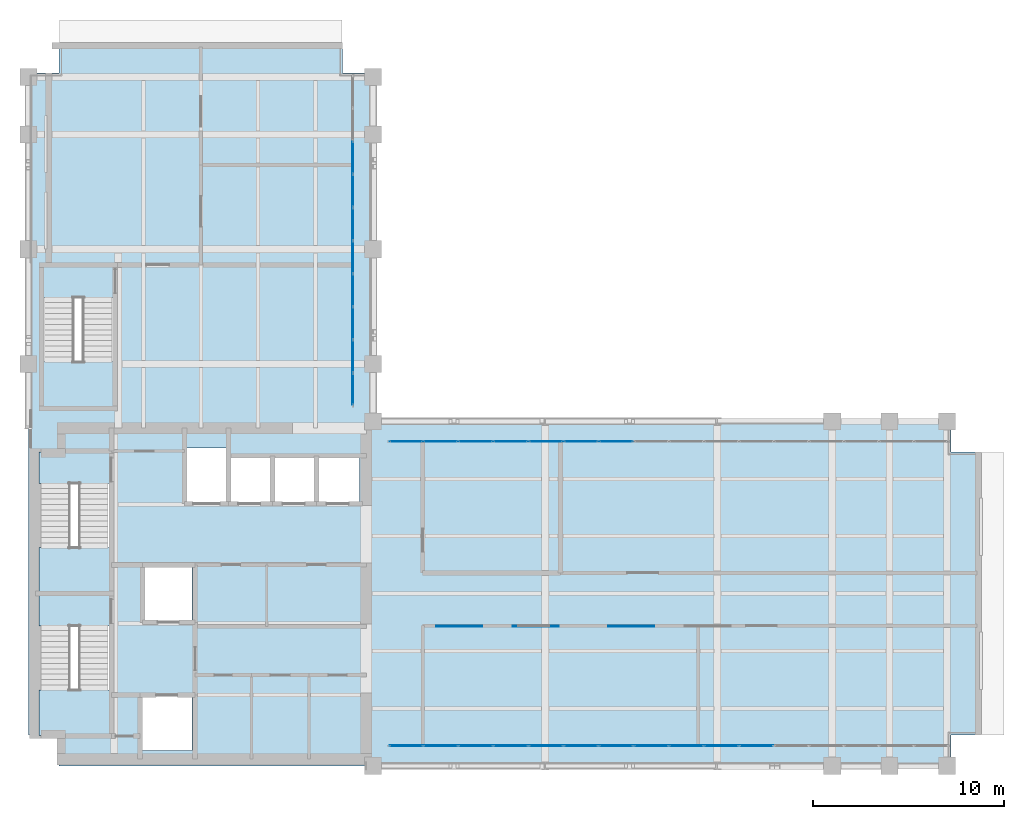
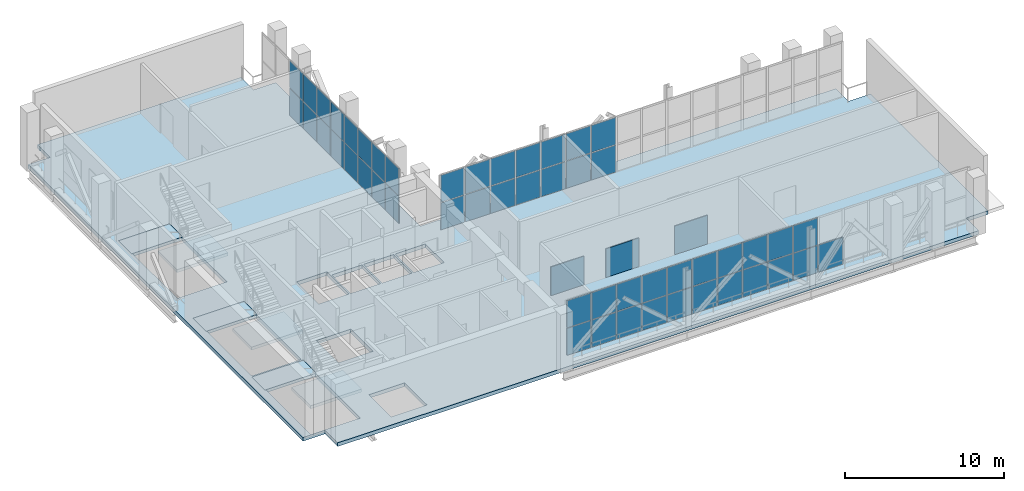
# One storey, part 21 of 26: 54 plates, 7 slabs, 6 elements without a shape of their own.
"""IFC4 building model written with IfcOpenShell, lengths in metres."""

import ifcopenshell
import ifcopenshell.guid

model = None  # the IFC model being written
_history = None  # IfcOwnerHistory: only IFC2X3 demands one
_inside = {}  # id of a spatial element -> (the spatial element, [elements in it])
_under = {}  # id of a project, library or spatial element -> (it, [spatial elements below it])
_declared = {}  # id of a project -> (the project, [libraries it declares])
_typed = {}  # id of a type object -> (the type object, [elements of that type])
_made_of = {}  # id of a material, layer set ... -> (it, [elements and type objects made of it])


def new_model(schema):
    """Start an empty IFC model of exactly this schema.

    Asked for "IFC4X3", IfcOpenShell would pick the latest addendum, in which some entities
    have other attributes; the version numbers below select the first issue.
    IFC2X3 requires an IfcOwnerHistory on every rooted entity: one is made here for all.
    """
    global model, _history
    if schema == "IFC4X3":
        model = ifcopenshell.file(schema_version=(4, 3, 0, 0))
    else:
        model = ifcopenshell.file(schema=schema)
    _inside.clear()
    _under.clear()
    _declared.clear()
    _typed.clear()
    _made_of.clear()
    _history = None
    if model.schema == "IFC2X3":
        org = make("IfcOrganization", Name="unknown")
        user = make(
            "IfcPersonAndOrganization",
            ThePerson=make("IfcPerson", FamilyName="unknown"),
            TheOrganization=org,
        )
        app = make(
            "IfcApplication",
            ApplicationDeveloper=org,
            Version="unknown",
            ApplicationFullName="unknown",
            ApplicationIdentifier="unknown",
        )
        _history = make(
            "IfcOwnerHistory",
            OwningUser=user,
            OwningApplication=app,
            ChangeAction="ADDED",
            CreationDate=0,
        )
    return model


def make(cls, **values):
    """One entity of the class cls with the attributes given. An attribute that is None is left unset."""
    return model.create_entity(
        cls, **{name: value for name, value in values.items() if value is not None}
    )


def rooted(cls, **values):
    """An entity with a GlobalId (a new one), such as an element, a storey or a relation."""
    return make(cls, GlobalId=ifcopenshell.guid.new(), OwnerHistory=_history, **values)


def si_unit(unit_type, name, prefix=None):
    """IfcSIUnit, for example si_unit("LENGTHUNIT", "METRE", prefix="MILLI")."""
    return make("IfcSIUnit", UnitType=unit_type, Prefix=prefix, Name=name)


def assignment(units):
    """IfcUnitAssignment: the units of a project."""
    return None if units is None else make("IfcUnitAssignment", Units=units)


def point(xyz):
    """IfcCartesianPoint."""
    return None if xyz is None else make("IfcCartesianPoint", Coordinates=xyz)


def direction(xyz):
    """IfcDirection."""
    return None if xyz is None else make("IfcDirection", DirectionRatios=xyz)


def frame(location, z_axis=None, x_axis=None):
    """IfcAxis2Placement3D, a coordinate frame: its origin and axes. An axis left out is left unset."""
    return make(
        "IfcAxis2Placement3D",
        Location=point(location),
        Axis=direction(z_axis),
        RefDirection=direction(x_axis),
    )


def frame_2d(location, x_axis=None):
    """IfcAxis2Placement2D, a coordinate frame in the plane: its origin and x axis."""
    return make(
        "IfcAxis2Placement2D", Location=point(location), RefDirection=direction(x_axis)
    )


def origin():
    """The frame at (0, 0, 0) with its axes left unset."""
    return frame((0.0, 0.0, 0.0))


def origin_2d():
    """The frame at (0, 0) in the plane with its x axis left unset."""
    return frame_2d((0.0, 0.0))


def place(relative_to, where):
    """IfcLocalPlacement: puts the frame where relative to a parent placement (None: the world)."""
    return make(
        "IfcLocalPlacement", PlacementRelTo=relative_to, RelativePlacement=where
    )


def context(
    kind, dimensions, precision=None, world=None, true_north=None, identifier=None
):
    """IfcGeometricRepresentationContext, for example the 3D "Model" context."""
    return make(
        "IfcGeometricRepresentationContext",
        ContextIdentifier=identifier,
        ContextType=kind,
        CoordinateSpaceDimension=dimensions,
        Precision=precision,
        WorldCoordinateSystem=world,
        TrueNorth=true_north,
    )


def subcontext(parent, identifier, kind, view, scale=None):
    """IfcGeometricRepresentationSubContext, for example "Body" below "Model"."""
    return make(
        "IfcGeometricRepresentationSubContext",
        ContextIdentifier=identifier,
        ContextType=kind,
        ParentContext=parent,
        TargetScale=scale,
        TargetView=view,
    )


def project(units=None, contexts=None):
    """IfcProject with its units and contexts."""
    return rooted(
        "IfcProject",
        Name="project",
        RepresentationContexts=contexts,
        UnitsInContext=assignment(units),
    )


def spatial(cls, under=None, at=None, **own):
    """A site, building, storey or space (cls), placed at a placement, below another one or the project."""
    s = rooted(cls, ObjectPlacement=at, **own)
    if under is not None:
        _under.setdefault(under.id(), (under, []))[1].append(s)
    return s


def polyline(points):
    """IfcPolyline through the points."""
    return make("IfcPolyline", Points=[point(p) for p in points])


def profile(cls, at=None, kind="AREA", **sizes):
    """A parametric profile (cls). Its sizes go by their IFC names, for example OverallWidth=200.0."""
    return make(cls, ProfileType=kind, Position=at, **sizes)


def rectangle(**sizes):
    """IfcRectangleProfileDef."""
    return profile("IfcRectangleProfileDef", **sizes)


def outline(outer, holes=None, kind="AREA"):
    """IfcArbitraryClosedProfileDef: a profile drawn as a closed curve; with holes, ...WithVoids."""
    if holes is None:
        return make("IfcArbitraryClosedProfileDef", ProfileType=kind, OuterCurve=outer)
    return make(
        "IfcArbitraryProfileDefWithVoids",
        ProfileType=kind,
        OuterCurve=outer,
        InnerCurves=holes,
    )


def extrude(swept, where, along, depth):
    """IfcExtrudedAreaSolid: the profile swept, set in the frame where, extruded along a direction by depth."""
    return make(
        "IfcExtrudedAreaSolid",
        SweptArea=swept,
        Position=where,
        ExtrudedDirection=direction(along),
        Depth=depth,
    )


def shape(context_of_items, identifier, shape_type, items):
    """IfcShapeRepresentation: the items that make up one representation, for example the "Body"."""
    return make(
        "IfcShapeRepresentation",
        ContextOfItems=context_of_items,
        RepresentationIdentifier=identifier,
        RepresentationType=shape_type,
        Items=items,
    )


def material(Name=None, Category=None):
    """IfcMaterial."""
    return make("IfcMaterial", Name=Name, Category=Category)


def layer(
    of_material, thickness, ventilated=None, Name=None, Category=None, Priority=None
):
    """IfcMaterialLayer: one layer of a wall or slab, of a material (None: an air gap)."""
    return make(
        "IfcMaterialLayer",
        Material=of_material,
        LayerThickness=thickness,
        IsVentilated=ventilated,
        Name=Name,
        Category=Category,
        Priority=Priority,
    )


def layer_set(layers, Name=None):
    """IfcMaterialLayerSet."""
    return make("IfcMaterialLayerSet", MaterialLayers=layers, LayerSetName=Name)


def made_of(thing, what):
    """Note that an element or type object is made of a material, layer set ...; save() writes the relation."""
    if what is not None:
        _made_of.setdefault(what.id(), (what, []))[1].append(thing)
    return thing


def type_object(cls, material=None, **own):
    """A type object (cls), such as IfcWallType, which elements share."""
    return made_of(rooted(cls, **own), material)


def element(
    cls,
    number,
    at=None,
    inside=None,
    cuts=None,
    type_object=None,
    material=None,
    context=None,
    identifier="Body",
    shape_type=None,
    held_by="IfcProductDefinitionShape",
    body=None,
    shapes=None,
    **own,
):
    """One element of the class cls, such as IfcWall. Its Tag is "e" and its number.

    at: its placement. inside: the storey or other place that contains it. cuts: it is an
    opening in that element (IfcRelVoidsElement). A single representation is given by context,
    identifier, shape_type and body (its items); several are given by shapes. held_by: the class
    of the entity that holds the representations. save() writes the other relations.
    """
    e = rooted(cls, Tag="e%d" % number, ObjectPlacement=at, **own)
    if body is not None:
        shapes = [shape(context, identifier, shape_type, body)]
    if shapes is not None:
        e.Representation = make(held_by, Representations=shapes)
    if inside is not None:
        _inside.setdefault(inside.id(), (inside, []))[1].append(e)
    if cuts is not None:
        rooted(
            "IfcRelVoidsElement", RelatingBuildingElement=cuts, RelatedOpeningElement=e
        )
    if type_object is not None:
        _typed.setdefault(type_object.id(), (type_object, []))[1].append(e)
    return made_of(e, material)


def aggregate(whole, parts):
    """IfcRelAggregates: a whole, such as a stair, and the parts it consists of."""
    return rooted("IfcRelAggregates", RelatingObject=whole, RelatedObjects=parts)


def save(model, path):
    """Write the relations noted so far, then the file.

    IfcRelAggregates (storeys below a building ...), IfcRelContainedInSpatialStructure (elements
    in a storey), IfcRelDefinesByType, IfcRelAssociatesMaterial and IfcRelDeclares: one each for
    every whole, place, type object, material and project.
    """
    for whole, parts in _under.values():
        aggregate(whole, parts)
    for where, things in _inside.values():
        rooted(
            "IfcRelContainedInSpatialStructure",
            RelatedElements=things,
            RelatingStructure=where,
        )
    for kind, things in _typed.values():
        rooted("IfcRelDefinesByType", RelatedObjects=things, RelatingType=kind)
    for what, things in _made_of.values():
        rooted("IfcRelAssociatesMaterial", RelatedObjects=things, RelatingMaterial=what)
    for by, libraries in _declared.values():
        rooted("IfcRelDeclares", RelatingContext=by, RelatedDefinitions=libraries)
    model.write(path)


model = new_model("IFC4")

# Units and contexts
model_context = context("Model", 3, precision=1e-05, world=origin(), true_north=direction((0.0, 1.0)))
body_context = subcontext(model_context, "Body", "Model", "MODEL_VIEW")
ifc_project = project(units=[si_unit("LENGTHUNIT", "METRE"), si_unit("AREAUNIT", "SQUARE_METRE"), si_unit("VOLUMEUNIT", "CUBIC_METRE"), si_unit("PLANEANGLEUNIT", "RADIAN"), si_unit("MASSUNIT", "GRAM", prefix="KILO")], contexts=[model_context])

# Site, building, storey
site_placement = place(None, origin())
site = spatial("IfcSite", under=ifc_project, at=site_placement, CompositionType="ELEMENT")
building_placement = place(site_placement, origin())
building = spatial("IfcBuilding", under=site, at=building_placement, Name="Mawjdan Bourse Tower", CompositionType="ELEMENT")
storey_placement = place(building_placement, frame((0.0, 0.0, 226.800048828125)))
storey = spatial("IfcBuildingStorey", under=building, at=storey_placement, Name="L55", CompositionType="ELEMENT", Elevation=226.800048828125)

# Plates
ifc_material_1 = material(Name="Perforated Acoustic Aluminium Sheet", Category="aluminium")
ifc_layer_1 = layer(ifc_material_1, 0.044921875)
ifc_layer_set_1 = layer_set([ifc_layer_1], Name="Perforated Acoustic Aluminium Sheet")
plate_type_1 = type_object("IfcPlateType", Name="PLT-SCR-2400", PredefinedType="SHEET", material=ifc_layer_set_1)
for number, where, z_axis, x_axis, name in (
    (1, (28.5, 10.300048828125, 0.0), (0.0, 0.0, 1.0), (1.0, 0.0, 0.0), "L55 Acoustic Plant Plenum Screen 1"),
    (2, (32.5, 10.300048828125, 0.0), (0.0, 0.0, 1.0), (1.0, 0.0, 0.0), "L55 Acoustic Plant Plenum Screen 2"),
    (3, (37.5, 10.300048828125, 0.0), (0.0, 0.0, 1.0), (1.0, 0.0, 0.0), "L55 Acoustic Plant Plenum Screen 3"),
):
    element("IfcPlate", number, at=place(storey_placement, frame(where, z_axis=z_axis, x_axis=x_axis)), inside=storey, type_object=plate_type_1, Name=name, PredefinedType="SHEET", context=body_context, shape_type="SweptSolid", body=[
        extrude(rectangle(XDim=2.39990234375, YDim=0.044921875, at=origin_2d()), origin(), (0.0, 0.0, 1.0), 2.199951171875),
    ])

# Curtain wall, plates
ifc_material_2 = material(Name="Thermally Broken Aluminium and Solar Glass", Category="aluminium")
ifc_layer_2 = layer(ifc_material_2, 0.219970703125)
ifc_layer_set_2 = layer_set([ifc_layer_2], Name="Thermally Broken Aluminium and Solar Glass")
curtain_wall_type = type_object("IfcCurtainWallType", Name="CW-RFG", PredefinedType="USERDEFINED", material=ifc_layer_set_2)
curtain_wall_1_placement = place(storey_placement, origin())
curtain_wall_1 = element("IfcCurtainWall", 4, at=curtain_wall_1_placement, inside=storey, type_object=curtain_wall_type, Name="L55 Refuge Band South Louvre Curtain Wall", ObjectType="REFUGE BAND LOUVRE SCREEN", PredefinedType="USERDEFINED")
ifc_material_3 = material(Name="Anodised Sand-Trap Aluminium Louvre", Category="aluminium")
ifc_layer_3 = layer(ifc_material_3, 0.050048828125)
ifc_layer_set_3 = layer_set([ifc_layer_3], Name="Anodised Sand-Trap Aluminium Louvre")
plate_type_2 = type_object("IfcPlateType", Name="PNL-CW-RFG", PredefinedType="CURTAIN_PANEL", material=ifc_layer_set_3)
plate_1_placement = place(storey_placement, frame((25.73193359375, 4.050048828125, 0.054931640625), z_axis=(0.0, 0.0, 1.0), x_axis=(1.0, 0.0, 0.0)))
plate_1 = element("IfcPlate", 5, at=plate_1_placement, type_object=plate_type_2, Name="CW-RFG-L55-RFG-S panel 1.1", PredefinedType="CURTAIN_PANEL", context=body_context, shape_type="SweptSolid", body=[
    extrude(rectangle(XDim=1.733642578125, YDim=0.050048828125, at=origin_2d()), origin(), (0.0, 0.0, 1.0), 2.0673828125),
])
plate_2_placement = place(storey_placement, frame((25.73193359375, 4.050048828125, 2.177490234375), z_axis=(0.0, 0.0, 1.0), x_axis=(1.0, 0.0, 0.0)))
plate_2 = element("IfcPlate", 6, at=plate_2_placement, type_object=plate_type_2, Name="CW-RFG-L55-RFG-S panel 1.2", PredefinedType="CURTAIN_PANEL", context=body_context, shape_type="SweptSolid", body=[
    extrude(rectangle(XDim=1.733642578125, YDim=0.050048828125, at=origin_2d()), origin(), (0.0, 0.0, 1.0), 2.0673828125),
])
plate_3_placement = place(storey_placement, frame((27.546875, 4.050048828125, 0.054931640625), z_axis=(0.0, 0.0, 1.0), x_axis=(1.0, 0.0, 0.0)))
plate_3 = element("IfcPlate", 7, at=plate_3_placement, type_object=plate_type_2, Name="CW-RFG-L55-RFG-S panel 2.1", PredefinedType="CURTAIN_PANEL", context=body_context, shape_type="SweptSolid", body=[
    extrude(rectangle(XDim=1.766357421875, YDim=0.050048828125, at=origin_2d()), origin(), (0.0, 0.0, 1.0), 2.0673828125),
])
plate_4_placement = place(storey_placement, frame((27.546875, 4.050048828125, 2.177490234375), z_axis=(0.0, 0.0, 1.0), x_axis=(1.0, 0.0, 0.0)))
plate_4 = element("IfcPlate", 8, at=plate_4_placement, type_object=plate_type_2, Name="CW-RFG-L55-RFG-S panel 2.2", PredefinedType="CURTAIN_PANEL", context=body_context, shape_type="SweptSolid", body=[
    extrude(rectangle(XDim=1.766357421875, YDim=0.050048828125, at=origin_2d()), origin(), (0.0, 0.0, 1.0), 2.0673828125),
])
plate_5_placement = place(storey_placement, frame((29.378173828125, 4.050048828125, 0.054931640625), z_axis=(0.0, 0.0, 1.0), x_axis=(1.0, 0.0, 0.0)))
plate_5 = element("IfcPlate", 9, at=plate_5_placement, type_object=plate_type_2, Name="CW-RFG-L55-RFG-S panel 3.1", PredefinedType="CURTAIN_PANEL", context=body_context, shape_type="SweptSolid", body=[
    extrude(rectangle(XDim=1.766357421875, YDim=0.050048828125, at=origin_2d()), origin(), (0.0, 0.0, 1.0), 2.0673828125),
])
plate_6_placement = place(storey_placement, frame((29.378173828125, 4.050048828125, 2.177490234375), z_axis=(0.0, 0.0, 1.0), x_axis=(1.0, 0.0, 0.0)))
plate_6 = element("IfcPlate", 10, at=plate_6_placement, type_object=plate_type_2, Name="CW-RFG-L55-RFG-S panel 3.2", PredefinedType="CURTAIN_PANEL", context=body_context, shape_type="SweptSolid", body=[
    extrude(rectangle(XDim=1.766357421875, YDim=0.050048828125, at=origin_2d()), origin(), (0.0, 0.0, 1.0), 2.0673828125),
])
plate_7_placement = place(storey_placement, frame((31.20947265625, 4.050048828125, 0.054931640625), z_axis=(0.0, 0.0, 1.0), x_axis=(1.0, 0.0, 0.0)))
plate_7 = element("IfcPlate", 11, at=plate_7_placement, type_object=plate_type_2, Name="CW-RFG-L55-RFG-S panel 4.1", PredefinedType="CURTAIN_PANEL", context=body_context, shape_type="SweptSolid", body=[
    extrude(rectangle(XDim=1.766357421875, YDim=0.050048828125, at=origin_2d()), origin(), (0.0, 0.0, 1.0), 2.0673828125),
])
plate_8_placement = place(storey_placement, frame((31.20947265625, 4.050048828125, 2.177490234375), z_axis=(0.0, 0.0, 1.0), x_axis=(1.0, 0.0, 0.0)))
plate_8 = element("IfcPlate", 12, at=plate_8_placement, type_object=plate_type_2, Name="CW-RFG-L55-RFG-S panel 4.2", PredefinedType="CURTAIN_PANEL", context=body_context, shape_type="SweptSolid", body=[
    extrude(rectangle(XDim=1.766357421875, YDim=0.050048828125, at=origin_2d()), origin(), (0.0, 0.0, 1.0), 2.0673828125),
])
plate_9_placement = place(storey_placement, frame((33.04052734375, 4.050048828125, 0.054931640625), z_axis=(0.0, 0.0, 1.0), x_axis=(1.0, 0.0, 0.0)))
plate_9 = element("IfcPlate", 13, at=plate_9_placement, type_object=plate_type_2, Name="CW-RFG-L55-RFG-S panel 5.1", PredefinedType="CURTAIN_PANEL", context=body_context, shape_type="SweptSolid", body=[
    extrude(rectangle(XDim=1.766357421875, YDim=0.050048828125, at=origin_2d()), origin(), (0.0, 0.0, 1.0), 2.0673828125),
])
plate_10_placement = place(storey_placement, frame((33.04052734375, 4.050048828125, 2.177490234375), z_axis=(0.0, 0.0, 1.0), x_axis=(1.0, 0.0, 0.0)))
plate_10 = element("IfcPlate", 14, at=plate_10_placement, type_object=plate_type_2, Name="CW-RFG-L55-RFG-S panel 5.2", PredefinedType="CURTAIN_PANEL", context=body_context, shape_type="SweptSolid", body=[
    extrude(rectangle(XDim=1.766357421875, YDim=0.050048828125, at=origin_2d()), origin(), (0.0, 0.0, 1.0), 2.0673828125),
])
plate_11_placement = place(storey_placement, frame((34.871826171875, 4.050048828125, 0.054931640625), z_axis=(0.0, 0.0, 1.0), x_axis=(1.0, 0.0, 0.0)))
plate_11 = element("IfcPlate", 15, at=plate_11_placement, type_object=plate_type_2, Name="CW-RFG-L55-RFG-S panel 6.1", PredefinedType="CURTAIN_PANEL", context=body_context, shape_type="SweptSolid", body=[
    extrude(rectangle(XDim=1.766357421875, YDim=0.050048828125, at=origin_2d()), origin(), (0.0, 0.0, 1.0), 2.0673828125),
])
plate_12_placement = place(storey_placement, frame((34.871826171875, 4.050048828125, 2.177490234375), z_axis=(0.0, 0.0, 1.0), x_axis=(1.0, 0.0, 0.0)))
plate_12 = element("IfcPlate", 16, at=plate_12_placement, type_object=plate_type_2, Name="CW-RFG-L55-RFG-S panel 6.2", PredefinedType="CURTAIN_PANEL", context=body_context, shape_type="SweptSolid", body=[
    extrude(rectangle(XDim=1.766357421875, YDim=0.050048828125, at=origin_2d()), origin(), (0.0, 0.0, 1.0), 2.0673828125),
])
plate_13_placement = place(storey_placement, frame((36.703125, 4.050048828125, 0.054931640625), z_axis=(0.0, 0.0, 1.0), x_axis=(1.0, 0.0, 0.0)))
plate_13 = element("IfcPlate", 17, at=plate_13_placement, type_object=plate_type_2, Name="CW-RFG-L55-RFG-S panel 7.1", PredefinedType="CURTAIN_PANEL", context=body_context, shape_type="SweptSolid", body=[
    extrude(rectangle(XDim=1.766357421875, YDim=0.050048828125, at=origin_2d()), origin(), (0.0, 0.0, 1.0), 2.0673828125),
])
plate_14_placement = place(storey_placement, frame((36.703125, 4.050048828125, 2.177490234375), z_axis=(0.0, 0.0, 1.0), x_axis=(1.0, 0.0, 0.0)))
plate_14 = element("IfcPlate", 18, at=plate_14_placement, type_object=plate_type_2, Name="CW-RFG-L55-RFG-S panel 7.2", PredefinedType="CURTAIN_PANEL", context=body_context, shape_type="SweptSolid", body=[
    extrude(rectangle(XDim=1.766357421875, YDim=0.050048828125, at=origin_2d()), origin(), (0.0, 0.0, 1.0), 2.0673828125),
])
plate_15_placement = place(storey_placement, frame((38.534423828125, 4.050048828125, 0.054931640625), z_axis=(0.0, 0.0, 1.0), x_axis=(1.0, 0.0, 0.0)))
plate_15 = element("IfcPlate", 19, at=plate_15_placement, type_object=plate_type_2, Name="CW-RFG-L55-RFG-S panel 8.1", PredefinedType="CURTAIN_PANEL", context=body_context, shape_type="SweptSolid", body=[
    extrude(rectangle(XDim=1.766357421875, YDim=0.050048828125, at=origin_2d()), origin(), (0.0, 0.0, 1.0), 2.0673828125),
])
plate_16_placement = place(storey_placement, frame((38.534423828125, 4.050048828125, 2.177490234375), z_axis=(0.0, 0.0, 1.0), x_axis=(1.0, 0.0, 0.0)))
plate_16 = element("IfcPlate", 20, at=plate_16_placement, type_object=plate_type_2, Name="CW-RFG-L55-RFG-S panel 8.2", PredefinedType="CURTAIN_PANEL", context=body_context, shape_type="SweptSolid", body=[
    extrude(rectangle(XDim=1.766357421875, YDim=0.050048828125, at=origin_2d()), origin(), (0.0, 0.0, 1.0), 2.0673828125),
])
plate_17_placement = place(storey_placement, frame((40.36572265625, 4.050048828125, 0.054931640625), z_axis=(0.0, 0.0, 1.0), x_axis=(1.0, 0.0, 0.0)))
plate_17 = element("IfcPlate", 21, at=plate_17_placement, type_object=plate_type_2, Name="CW-RFG-L55-RFG-S panel 9.1", PredefinedType="CURTAIN_PANEL", context=body_context, shape_type="SweptSolid", body=[
    extrude(rectangle(XDim=1.766357421875, YDim=0.050048828125, at=origin_2d()), origin(), (0.0, 0.0, 1.0), 2.0673828125),
])
plate_18_placement = place(storey_placement, frame((40.36572265625, 4.050048828125, 2.177490234375), z_axis=(0.0, 0.0, 1.0), x_axis=(1.0, 0.0, 0.0)))
plate_18 = element("IfcPlate", 22, at=plate_18_placement, type_object=plate_type_2, Name="CW-RFG-L55-RFG-S panel 9.2", PredefinedType="CURTAIN_PANEL", context=body_context, shape_type="SweptSolid", body=[
    extrude(rectangle(XDim=1.766357421875, YDim=0.050048828125, at=origin_2d()), origin(), (0.0, 0.0, 1.0), 2.0673828125),
])
plate_19_placement = place(storey_placement, frame((42.19677734375, 4.050048828125, 0.054931640625), z_axis=(0.0, 0.0, 1.0), x_axis=(1.0, 0.0, 0.0)))
plate_19 = element("IfcPlate", 23, at=plate_19_placement, type_object=plate_type_2, Name="CW-RFG-L55-RFG-S panel 10.1", PredefinedType="CURTAIN_PANEL", context=body_context, shape_type="SweptSolid", body=[
    extrude(rectangle(XDim=1.766357421875, YDim=0.050048828125, at=origin_2d()), origin(), (0.0, 0.0, 1.0), 2.0673828125),
])
plate_20_placement = place(storey_placement, frame((42.19677734375, 4.050048828125, 2.177490234375), z_axis=(0.0, 0.0, 1.0), x_axis=(1.0, 0.0, 0.0)))
plate_20 = element("IfcPlate", 24, at=plate_20_placement, type_object=plate_type_2, Name="CW-RFG-L55-RFG-S panel 10.2", PredefinedType="CURTAIN_PANEL", context=body_context, shape_type="SweptSolid", body=[
    extrude(rectangle(XDim=1.766357421875, YDim=0.050048828125, at=origin_2d()), origin(), (0.0, 0.0, 1.0), 2.0673828125),
])
plate_21_placement = place(storey_placement, frame((44.028076171875, 4.050048828125, 0.054931640625), z_axis=(0.0, 0.0, 1.0), x_axis=(1.0, 0.0, 0.0)))
plate_21 = element("IfcPlate", 25, at=plate_21_placement, type_object=plate_type_2, Name="CW-RFG-L55-RFG-S panel 11.1", PredefinedType="CURTAIN_PANEL", context=body_context, shape_type="SweptSolid", body=[
    extrude(rectangle(XDim=1.766357421875, YDim=0.050048828125, at=origin_2d()), origin(), (0.0, 0.0, 1.0), 2.0673828125),
])
aggregate(curtain_wall_1, [plate_1, plate_2, plate_3, plate_4, plate_5, plate_6, plate_7, plate_8, plate_9, plate_10, plate_11, plate_12, plate_13, plate_14, plate_15, plate_16, plate_17, plate_18, plate_19, plate_20, plate_21])

curtain_wall_2_placement = place(storey_placement, origin())
curtain_wall_2 = element("IfcCurtainWall", 26, at=curtain_wall_2_placement, inside=storey, type_object=curtain_wall_type, Name="L55 Refuge Band North Louvre Curtain Wall", ObjectType="REFUGE BAND LOUVRE SCREEN", PredefinedType="USERDEFINED")
plate_22_placement = place(storey_placement, frame((36.703125, 19.949951171875, 0.054931640625), z_axis=(0.0, 0.0, 1.0), x_axis=(-1.0, 0.0, 0.0)))
plate_22 = element("IfcPlate", 27, at=plate_22_placement, type_object=plate_type_2, Name="CW-RFG-L55-RFG-N panel 10.1", PredefinedType="CURTAIN_PANEL", context=body_context, shape_type="SweptSolid", body=[
    extrude(rectangle(XDim=1.766357421875, YDim=0.050048828125, at=origin_2d()), origin(), (0.0, 0.0, 1.0), 2.0673828125),
])
plate_23_placement = place(storey_placement, frame((36.703125, 19.949951171875, 2.177490234375), z_axis=(0.0, 0.0, 1.0), x_axis=(-1.0, 0.0, 0.0)))
plate_23 = element("IfcPlate", 28, at=plate_23_placement, type_object=plate_type_2, Name="CW-RFG-L55-RFG-N panel 10.2", PredefinedType="CURTAIN_PANEL", context=body_context, shape_type="SweptSolid", body=[
    extrude(rectangle(XDim=1.766357421875, YDim=0.050048828125, at=origin_2d()), origin(), (0.0, 0.0, 1.0), 2.0673828125),
])
plate_24_placement = place(storey_placement, frame((34.871826171875, 19.949951171875, 0.054931640625), z_axis=(0.0, 0.0, 1.0), x_axis=(-1.0, 0.0, 0.0)))
plate_24 = element("IfcPlate", 29, at=plate_24_placement, type_object=plate_type_2, Name="CW-RFG-L55-RFG-N panel 11.1", PredefinedType="CURTAIN_PANEL", context=body_context, shape_type="SweptSolid", body=[
    extrude(rectangle(XDim=1.766357421875, YDim=0.050048828125, at=origin_2d()), origin(), (0.0, 0.0, 1.0), 2.0673828125),
])
plate_25_placement = place(storey_placement, frame((34.871826171875, 19.949951171875, 2.177490234375), z_axis=(0.0, 0.0, 1.0), x_axis=(-1.0, 0.0, 0.0)))
plate_25 = element("IfcPlate", 30, at=plate_25_placement, type_object=plate_type_2, Name="CW-RFG-L55-RFG-N panel 11.2", PredefinedType="CURTAIN_PANEL", context=body_context, shape_type="SweptSolid", body=[
    extrude(rectangle(XDim=1.766357421875, YDim=0.050048828125, at=origin_2d()), origin(), (0.0, 0.0, 1.0), 2.0673828125),
])
plate_26_placement = place(storey_placement, frame((33.04052734375, 19.949951171875, 0.054931640625), z_axis=(0.0, 0.0, 1.0), x_axis=(-1.0, 0.0, 0.0)))
plate_26 = element("IfcPlate", 31, at=plate_26_placement, type_object=plate_type_2, Name="CW-RFG-L55-RFG-N panel 12.1", PredefinedType="CURTAIN_PANEL", context=body_context, shape_type="SweptSolid", body=[
    extrude(rectangle(XDim=1.766357421875, YDim=0.050048828125, at=origin_2d()), origin(), (0.0, 0.0, 1.0), 2.0673828125),
])
plate_27_placement = place(storey_placement, frame((33.04052734375, 19.949951171875, 2.177490234375), z_axis=(0.0, 0.0, 1.0), x_axis=(-1.0, 0.0, 0.0)))
plate_27 = element("IfcPlate", 32, at=plate_27_placement, type_object=plate_type_2, Name="CW-RFG-L55-RFG-N panel 12.2", PredefinedType="CURTAIN_PANEL", context=body_context, shape_type="SweptSolid", body=[
    extrude(rectangle(XDim=1.766357421875, YDim=0.050048828125, at=origin_2d()), origin(), (0.0, 0.0, 1.0), 2.0673828125),
])
plate_28_placement = place(storey_placement, frame((31.20947265625, 19.949951171875, 0.054931640625), z_axis=(0.0, 0.0, 1.0), x_axis=(-1.0, 0.0, 0.0)))
plate_28 = element("IfcPlate", 33, at=plate_28_placement, type_object=plate_type_2, Name="CW-RFG-L55-RFG-N panel 13.1", PredefinedType="CURTAIN_PANEL", context=body_context, shape_type="SweptSolid", body=[
    extrude(rectangle(XDim=1.766357421875, YDim=0.050048828125, at=origin_2d()), origin(), (0.0, 0.0, 1.0), 2.0673828125),
])
plate_29_placement = place(storey_placement, frame((31.20947265625, 19.949951171875, 2.177490234375), z_axis=(0.0, 0.0, 1.0), x_axis=(-1.0, 0.0, 0.0)))
plate_29 = element("IfcPlate", 34, at=plate_29_placement, type_object=plate_type_2, Name="CW-RFG-L55-RFG-N panel 13.2", PredefinedType="CURTAIN_PANEL", context=body_context, shape_type="SweptSolid", body=[
    extrude(rectangle(XDim=1.766357421875, YDim=0.050048828125, at=origin_2d()), origin(), (0.0, 0.0, 1.0), 2.0673828125),
])
plate_30_placement = place(storey_placement, frame((29.378173828125, 19.949951171875, 0.054931640625), z_axis=(0.0, 0.0, 1.0), x_axis=(-1.0, 0.0, 0.0)))
plate_30 = element("IfcPlate", 35, at=plate_30_placement, type_object=plate_type_2, Name="CW-RFG-L55-RFG-N panel 14.1", PredefinedType="CURTAIN_PANEL", context=body_context, shape_type="SweptSolid", body=[
    extrude(rectangle(XDim=1.766357421875, YDim=0.050048828125, at=origin_2d()), origin(), (0.0, 0.0, 1.0), 2.0673828125),
])
plate_31_placement = place(storey_placement, frame((29.378173828125, 19.949951171875, 2.177490234375), z_axis=(0.0, 0.0, 1.0), x_axis=(-1.0, 0.0, 0.0)))
plate_31 = element("IfcPlate", 36, at=plate_31_placement, type_object=plate_type_2, Name="CW-RFG-L55-RFG-N panel 14.2", PredefinedType="CURTAIN_PANEL", context=body_context, shape_type="SweptSolid", body=[
    extrude(rectangle(XDim=1.766357421875, YDim=0.050048828125, at=origin_2d()), origin(), (0.0, 0.0, 1.0), 2.0673828125),
])
plate_32_placement = place(storey_placement, frame((27.546875, 19.949951171875, 0.054931640625), z_axis=(0.0, 0.0, 1.0), x_axis=(-1.0, 0.0, 0.0)))
plate_32 = element("IfcPlate", 37, at=plate_32_placement, type_object=plate_type_2, Name="CW-RFG-L55-RFG-N panel 15.1", PredefinedType="CURTAIN_PANEL", context=body_context, shape_type="SweptSolid", body=[
    extrude(rectangle(XDim=1.766357421875, YDim=0.050048828125, at=origin_2d()), origin(), (0.0, 0.0, 1.0), 2.0673828125),
])
plate_33_placement = place(storey_placement, frame((27.546875, 19.949951171875, 2.177490234375), z_axis=(0.0, 0.0, 1.0), x_axis=(-1.0, 0.0, 0.0)))
plate_33 = element("IfcPlate", 38, at=plate_33_placement, type_object=plate_type_2, Name="CW-RFG-L55-RFG-N panel 15.2", PredefinedType="CURTAIN_PANEL", context=body_context, shape_type="SweptSolid", body=[
    extrude(rectangle(XDim=1.766357421875, YDim=0.050048828125, at=origin_2d()), origin(), (0.0, 0.0, 1.0), 2.0673828125),
])
plate_34_placement = place(storey_placement, frame((25.73193359375, 19.949951171875, 0.054931640625), z_axis=(0.0, 0.0, 1.0), x_axis=(-1.0, 0.0, 0.0)))
plate_34 = element("IfcPlate", 39, at=plate_34_placement, type_object=plate_type_2, Name="CW-RFG-L55-RFG-N panel 16.1", PredefinedType="CURTAIN_PANEL", context=body_context, shape_type="SweptSolid", body=[
    extrude(rectangle(XDim=1.733642578125, YDim=0.050048828125, at=origin_2d()), origin(), (0.0, 0.0, 1.0), 2.0673828125),
])
plate_35_placement = place(storey_placement, frame((25.73193359375, 19.949951171875, 2.177490234375), z_axis=(0.0, 0.0, 1.0), x_axis=(-1.0, 0.0, 0.0)))
plate_35 = element("IfcPlate", 40, at=plate_35_placement, type_object=plate_type_2, Name="CW-RFG-L55-RFG-N panel 16.2", PredefinedType="CURTAIN_PANEL", context=body_context, shape_type="SweptSolid", body=[
    extrude(rectangle(XDim=1.733642578125, YDim=0.050048828125, at=origin_2d()), origin(), (0.0, 0.0, 1.0), 2.0673828125),
])
aggregate(curtain_wall_2, [plate_22, plate_23, plate_24, plate_25, plate_26, plate_27, plate_28, plate_29, plate_30, plate_31, plate_32, plate_33, plate_34, plate_35])

curtain_wall_3_placement = place(storey_placement, origin())
curtain_wall_3 = element("IfcCurtainWall", 41, at=curtain_wall_3_placement, inside=storey, type_object=curtain_wall_type, Name="L55 Refuge Band North-Wing Louvre Curtain Wall", ObjectType="REFUGE BAND LOUVRE SCREEN", PredefinedType="USERDEFINED")
plate_36_placement = place(storey_placement, frame((22.949951171875, 22.68115234375, 0.054931640625), z_axis=(0.0, 0.0, 1.0), x_axis=(0.0, 1.0, 0.0)))
plate_36 = element("IfcPlate", 42, at=plate_36_placement, type_object=plate_type_2, Name="CW-RFG-L55-RFG-W panel 1.1", PredefinedType="CURTAIN_PANEL", context=body_context, shape_type="SweptSolid", body=[
    extrude(rectangle(XDim=1.632568359375, YDim=0.050048828125, at=origin_2d()), origin(), (0.0, 0.0, 1.0), 2.0673828125),
])
plate_37_placement = place(storey_placement, frame((22.949951171875, 22.68115234375, 2.177490234375), z_axis=(0.0, 0.0, 1.0), x_axis=(0.0, 1.0, 0.0)))
plate_37 = element("IfcPlate", 43, at=plate_37_placement, type_object=plate_type_2, Name="CW-RFG-L55-RFG-W panel 1.2", PredefinedType="CURTAIN_PANEL", context=body_context, shape_type="SweptSolid", body=[
    extrude(rectangle(XDim=1.632568359375, YDim=0.050048828125, at=origin_2d()), origin(), (0.0, 0.0, 1.0), 2.0673828125),
])
plate_38_placement = place(storey_placement, frame((22.949951171875, 24.39501953125, 0.054931640625), z_axis=(0.0, 0.0, 1.0), x_axis=(0.0, 1.0, 0.0)))
plate_38 = element("IfcPlate", 44, at=plate_38_placement, type_object=plate_type_2, Name="CW-RFG-L55-RFG-W panel 2.1", PredefinedType="CURTAIN_PANEL", context=body_context, shape_type="SweptSolid", body=[
    extrude(rectangle(XDim=1.6650390625, YDim=0.050048828125, at=origin_2d()), origin(), (0.0, 0.0, 1.0), 2.0673828125),
])
plate_39_placement = place(storey_placement, frame((22.949951171875, 24.39501953125, 2.177490234375), z_axis=(0.0, 0.0, 1.0), x_axis=(0.0, 1.0, 0.0)))
plate_39 = element("IfcPlate", 45, at=plate_39_placement, type_object=plate_type_2, Name="CW-RFG-L55-RFG-W panel 2.2", PredefinedType="CURTAIN_PANEL", context=body_context, shape_type="SweptSolid", body=[
    extrude(rectangle(XDim=1.6650390625, YDim=0.050048828125, at=origin_2d()), origin(), (0.0, 0.0, 1.0), 2.0673828125),
])
plate_40_placement = place(storey_placement, frame((22.949951171875, 26.125, 0.054931640625), z_axis=(0.0, 0.0, 1.0), x_axis=(0.0, 1.0, 0.0)))
plate_40 = element("IfcPlate", 46, at=plate_40_placement, type_object=plate_type_2, Name="CW-RFG-L55-RFG-W panel 3.1", PredefinedType="CURTAIN_PANEL", context=body_context, shape_type="SweptSolid", body=[
    extrude(rectangle(XDim=1.6650390625, YDim=0.050048828125, at=origin_2d()), origin(), (0.0, 0.0, 1.0), 2.0673828125),
])
plate_41_placement = place(storey_placement, frame((22.949951171875, 26.125, 2.177490234375), z_axis=(0.0, 0.0, 1.0), x_axis=(0.0, 1.0, 0.0)))
plate_41 = element("IfcPlate", 47, at=plate_41_placement, type_object=plate_type_2, Name="CW-RFG-L55-RFG-W panel 3.2", PredefinedType="CURTAIN_PANEL", context=body_context, shape_type="SweptSolid", body=[
    extrude(rectangle(XDim=1.6650390625, YDim=0.050048828125, at=origin_2d()), origin(), (0.0, 0.0, 1.0), 2.0673828125),
])
plate_42_placement = place(storey_placement, frame((22.949951171875, 27.85498046875, 0.054931640625), z_axis=(0.0, 0.0, 1.0), x_axis=(0.0, 1.0, 0.0)))
plate_42 = element("IfcPlate", 48, at=plate_42_placement, type_object=plate_type_2, Name="CW-RFG-L55-RFG-W panel 4.1", PredefinedType="CURTAIN_PANEL", context=body_context, shape_type="SweptSolid", body=[
    extrude(rectangle(XDim=1.6650390625, YDim=0.050048828125, at=origin_2d()), origin(), (0.0, 0.0, 1.0), 2.0673828125),
])
plate_43_placement = place(storey_placement, frame((22.949951171875, 27.85498046875, 2.177490234375), z_axis=(0.0, 0.0, 1.0), x_axis=(0.0, 1.0, 0.0)))
plate_43 = element("IfcPlate", 49, at=plate_43_placement, type_object=plate_type_2, Name="CW-RFG-L55-RFG-W panel 4.2", PredefinedType="CURTAIN_PANEL", context=body_context, shape_type="SweptSolid", body=[
    extrude(rectangle(XDim=1.6650390625, YDim=0.050048828125, at=origin_2d()), origin(), (0.0, 0.0, 1.0), 2.0673828125),
])
plate_44_placement = place(storey_placement, frame((22.949951171875, 29.5849609375, 0.054931640625), z_axis=(0.0, 0.0, 1.0), x_axis=(0.0, 1.0, 0.0)))
plate_44 = element("IfcPlate", 50, at=plate_44_placement, type_object=plate_type_2, Name="CW-RFG-L55-RFG-W panel 5.1", PredefinedType="CURTAIN_PANEL", context=body_context, shape_type="SweptSolid", body=[
    extrude(rectangle(XDim=1.6650390625, YDim=0.050048828125, at=origin_2d()), origin(), (0.0, 0.0, 1.0), 2.0673828125),
])
plate_45_placement = place(storey_placement, frame((22.949951171875, 29.5849609375, 2.177490234375), z_axis=(0.0, 0.0, 1.0), x_axis=(0.0, 1.0, 0.0)))
plate_45 = element("IfcPlate", 51, at=plate_45_placement, type_object=plate_type_2, Name="CW-RFG-L55-RFG-W panel 5.2", PredefinedType="CURTAIN_PANEL", context=body_context, shape_type="SweptSolid", body=[
    extrude(rectangle(XDim=1.6650390625, YDim=0.050048828125, at=origin_2d()), origin(), (0.0, 0.0, 1.0), 2.0673828125),
])
plate_46_placement = place(storey_placement, frame((22.949951171875, 31.31494140625, 0.054931640625), z_axis=(0.0, 0.0, 1.0), x_axis=(0.0, 1.0, 0.0)))
plate_46 = element("IfcPlate", 52, at=plate_46_placement, type_object=plate_type_2, Name="CW-RFG-L55-RFG-W panel 6.1", PredefinedType="CURTAIN_PANEL", context=body_context, shape_type="SweptSolid", body=[
    extrude(rectangle(XDim=1.6650390625, YDim=0.050048828125, at=origin_2d()), origin(), (0.0, 0.0, 1.0), 2.0673828125),
])
plate_47_placement = place(storey_placement, frame((22.949951171875, 31.31494140625, 2.177490234375), z_axis=(0.0, 0.0, 1.0), x_axis=(0.0, 1.0, 0.0)))
plate_47 = element("IfcPlate", 53, at=plate_47_placement, type_object=plate_type_2, Name="CW-RFG-L55-RFG-W panel 6.2", PredefinedType="CURTAIN_PANEL", context=body_context, shape_type="SweptSolid", body=[
    extrude(rectangle(XDim=1.6650390625, YDim=0.050048828125, at=origin_2d()), origin(), (0.0, 0.0, 1.0), 2.0673828125),
])
plate_48_placement = place(storey_placement, frame((22.949951171875, 33.044921875, 0.054931640625), z_axis=(0.0, 0.0, 1.0), x_axis=(0.0, 1.0, 0.0)))
plate_48 = element("IfcPlate", 54, at=plate_48_placement, type_object=plate_type_2, Name="CW-RFG-L55-RFG-W panel 7.1", PredefinedType="CURTAIN_PANEL", context=body_context, shape_type="SweptSolid", body=[
    extrude(rectangle(XDim=1.6650390625, YDim=0.050048828125, at=origin_2d()), origin(), (0.0, 0.0, 1.0), 2.0673828125),
])
plate_49_placement = place(storey_placement, frame((22.949951171875, 33.044921875, 2.177490234375), z_axis=(0.0, 0.0, 1.0), x_axis=(0.0, 1.0, 0.0)))
plate_49 = element("IfcPlate", 55, at=plate_49_placement, type_object=plate_type_2, Name="CW-RFG-L55-RFG-W panel 7.2", PredefinedType="CURTAIN_PANEL", context=body_context, shape_type="SweptSolid", body=[
    extrude(rectangle(XDim=1.6650390625, YDim=0.050048828125, at=origin_2d()), origin(), (0.0, 0.0, 1.0), 2.0673828125),
])
plate_50_placement = place(storey_placement, frame((22.949951171875, 34.77490234375, 0.054931640625), z_axis=(0.0, 0.0, 1.0), x_axis=(0.0, 1.0, 0.0)))
plate_50 = element("IfcPlate", 56, at=plate_50_placement, type_object=plate_type_2, Name="CW-RFG-L55-RFG-W panel 8.1", PredefinedType="CURTAIN_PANEL", context=body_context, shape_type="SweptSolid", body=[
    extrude(rectangle(XDim=1.6650390625, YDim=0.050048828125, at=origin_2d()), origin(), (0.0, 0.0, 1.0), 2.0673828125),
])
plate_51_placement = place(storey_placement, frame((22.949951171875, 34.77490234375, 2.177490234375), z_axis=(0.0, 0.0, 1.0), x_axis=(0.0, 1.0, 0.0)))
plate_51 = element("IfcPlate", 57, at=plate_51_placement, type_object=plate_type_2, Name="CW-RFG-L55-RFG-W panel 8.2", PredefinedType="CURTAIN_PANEL", context=body_context, shape_type="SweptSolid", body=[
    extrude(rectangle(XDim=1.6650390625, YDim=0.050048828125, at=origin_2d()), origin(), (0.0, 0.0, 1.0), 2.0673828125),
])
aggregate(curtain_wall_3, [plate_36, plate_37, plate_38, plate_39, plate_40, plate_41, plate_42, plate_43, plate_44, plate_45, plate_46, plate_47, plate_48, plate_49, plate_50, plate_51])

# Stair, slabs
ifc_material_4 = material(Name="Concrete C50/60", Category="concrete")
stair_type = type_object("IfcStairType", Name="STR-CORE-1500", PredefinedType="HALF_TURN_STAIR", material=ifc_material_4)
stair_1_placement = place(storey_placement, origin())
stair_1 = element("IfcStair", 58, at=stair_1_placement, inside=storey, type_object=stair_type, Name="L55 Exit Stair 1 (Core South-West)", PredefinedType="HALF_TURN_STAIR")
ifc_layer_4 = layer(ifc_material_4, 0.22998046875)
ifc_layer_set_4 = layer_set([ifc_layer_4], Name="Concrete C50/60")
slab_type_1 = type_object("IfcSlabType", Name="SL-LND-230", PredefinedType="LANDING", material=ifc_layer_set_4)
slab_1_placement = place(storey_placement, frame((0.0, 0.0, -0.22998046875)))
slab_1 = element("IfcSlab", 59, at=slab_1_placement, type_object=slab_type_1, Name="ST1-L55 landing 1", PredefinedType="LANDING", context=body_context, shape_type="SweptSolid", body=[
    extrude(outline(polyline([(6.5400390625, 10.31005859375), (10.260009765625, 10.31005859375), (10.260009765625, 11.969970703125), (6.5400390625, 11.969970703125), (6.5400390625, 10.31005859375)])), origin(), (0.0, 0.0, 1.0), 0.22998046875),
])
slab_2_placement = place(storey_placement, frame((0.0, 0.0, 2.02001953125)))
slab_2 = element("IfcSlab", 60, at=slab_2_placement, type_object=slab_type_1, Name="ST1-L55 landing 2", PredefinedType="LANDING", context=body_context, shape_type="SweptSolid", body=[
    extrude(outline(polyline([(6.5400390625, 4.590087890625), (10.260009765625, 4.590087890625), (10.260009765625, 6.969970703125), (6.5400390625, 6.969970703125), (6.5400390625, 4.590087890625)])), origin(), (0.0, 0.0, 1.0), 0.22998046875),
])
aggregate(stair_1, [slab_1, slab_2])

stair_2_placement = place(storey_placement, origin())
stair_2 = element("IfcStair", 61, at=stair_2_placement, inside=storey, type_object=stair_type, Name="L55 Exit Stair 2 (Core North-West)", PredefinedType="HALF_TURN_STAIR")
slab_3_placement = place(storey_placement, frame((0.0, 0.0, -0.22998046875)))
slab_3 = element("IfcSlab", 62, at=slab_3_placement, type_object=slab_type_1, Name="ST2-L55 landing 1", PredefinedType="LANDING", context=body_context, shape_type="SweptSolid", body=[
    extrude(outline(polyline([(6.5400390625, 17.75), (10.260009765625, 17.75), (10.260009765625, 19.409912109375), (6.5400390625, 19.409912109375), (6.5400390625, 17.75)])), origin(), (0.0, 0.0, 1.0), 0.22998046875),
])
slab_4_placement = place(storey_placement, frame((0.0, 0.0, 2.02001953125)))
slab_4 = element("IfcSlab", 63, at=slab_4_placement, type_object=slab_type_1, Name="ST2-L55 landing 2", PredefinedType="LANDING", context=body_context, shape_type="SweptSolid", body=[
    extrude(outline(polyline([(6.5400390625, 12.030029296875), (10.260009765625, 12.030029296875), (10.260009765625, 14.409912109375), (6.5400390625, 14.409912109375), (6.5400390625, 12.030029296875)])), origin(), (0.0, 0.0, 1.0), 0.22998046875),
])
aggregate(stair_2, [slab_3, slab_4])

stair_3_placement = place(storey_placement, origin())
stair_3 = element("IfcStair", 64, at=stair_3_placement, inside=storey, type_object=stair_type, Name="L55 Exit Stair 3 (North Wing)", PredefinedType="HALF_TURN_STAIR")
slab_5_placement = place(storey_placement, frame((0.0, 0.0, -0.22998046875)))
slab_5 = element("IfcSlab", 65, at=slab_5_placement, type_object=slab_type_1, Name="ST3-L55 landing 1", PredefinedType="LANDING", context=body_context, shape_type="SweptSolid", body=[
    extrude(outline(polyline([(6.739990234375, 27.4599609375), (10.4599609375, 27.4599609375), (10.4599609375, 29.1201171875), (6.739990234375, 29.1201171875), (6.739990234375, 27.4599609375)])), origin(), (0.0, 0.0, 1.0), 0.22998046875),
])
slab_6_placement = place(storey_placement, frame((0.0, 0.0, 2.02001953125)))
slab_6 = element("IfcSlab", 66, at=slab_6_placement, type_object=slab_type_1, Name="ST3-L55 landing 2", PredefinedType="LANDING", context=body_context, shape_type="SweptSolid", body=[
    extrude(outline(polyline([(6.739990234375, 21.739990234375), (10.4599609375, 21.739990234375), (10.4599609375, 24.1201171875), (6.739990234375, 24.1201171875), (6.739990234375, 21.739990234375)])), origin(), (0.0, 0.0, 1.0), 0.22998046875),
])
aggregate(stair_3, [slab_5, slab_6])

# Slab
ifc_layer_5 = layer(ifc_material_4, 0.280029296875)
ifc_layer_set_5 = layer_set([ifc_layer_5], Name="Concrete C50/60")
slab_type_2 = type_object("IfcSlabType", Name="SL-PLT-280", PredefinedType="FLOOR", material=ifc_layer_set_5)
slab_7_placement = place(storey_placement, frame((0.0, 0.0, -0.280029296875)))
element("IfcSlab", 67, at=slab_7_placement, inside=storey, type_object=slab_type_2, Name="L55 Structural Floor Slab 1", PredefinedType="FLOOR", context=body_context, shape_type="SweptSolid", body=[
    extrude(outline(polyline([(7.60009765625, 3.0), (54.199951171875, 3.0), (54.199951171875, 4.60009765625), (55.800048828125, 4.60009765625), (55.800048828125, 19.39990234375), (54.199951171875, 19.39990234375), (54.199951171875, 21.0), (24.0, 21.0), (24.0, 39.199951171875), (22.39990234375, 39.199951171875), (22.39990234375, 40.800048828125), (7.60009765625, 40.800048828125), (7.60009765625, 39.199951171875), (6.0, 39.199951171875), (6.0, 4.60009765625), (7.60009765625, 4.60009765625), (7.60009765625, 3.0)]), holes=[polyline([(6.5400390625, 11.969970703125), (10.260009765625, 11.969970703125), (10.260009765625, 10.31005859375), (10.199951171875, 10.31005859375), (10.199951171875, 4.64990234375), (6.60009765625, 4.64990234375), (6.60009765625, 10.31005859375), (6.5400390625, 10.31005859375), (6.5400390625, 11.969970703125)]), polyline([(6.60009765625, 12.090087890625), (6.60009765625, 17.75), (6.5400390625, 17.75), (6.5400390625, 19.409912109375), (10.260009765625, 19.409912109375), (10.260009765625, 17.75), (10.199951171875, 17.75), (10.199951171875, 12.090087890625), (6.60009765625, 12.090087890625)]), polyline([(10.4599609375, 29.1201171875), (10.4599609375, 27.4599609375), (10.39990234375, 27.4599609375), (10.39990234375, 21.800048828125), (6.800048828125, 21.800048828125), (6.800048828125, 27.4599609375), (6.739990234375, 27.4599609375), (6.739990234375, 29.1201171875), (10.4599609375, 29.1201171875)]), polyline([(14.550048828125, 3.800048828125), (11.949951171875, 3.800048828125), (11.949951171875, 6.60009765625), (14.550048828125, 6.60009765625), (14.550048828125, 3.800048828125)]), polyline([(12.050048828125, 10.60009765625), (12.050048828125, 13.39990234375), (14.550048828125, 13.39990234375), (14.550048828125, 10.60009765625), (12.050048828125, 10.60009765625)]), polyline([(16.5, 16.800048828125), (16.5, 19.14990234375), (18.699951171875, 19.14990234375), (18.699951171875, 16.800048828125), (16.5, 16.800048828125)]), polyline([(21.0, 16.800048828125), (18.800048828125, 16.800048828125), (18.800048828125, 19.14990234375), (21.0, 19.14990234375), (21.0, 16.800048828125)]), polyline([(21.10009765625, 16.800048828125), (21.10009765625, 19.14990234375), (23.300048828125, 19.14990234375), (23.300048828125, 16.800048828125), (21.10009765625, 16.800048828125)]), polyline([(14.199951171875, 16.800048828125), (14.199951171875, 19.60009765625), (16.39990234375, 19.60009765625), (16.39990234375, 16.800048828125), (14.199951171875, 16.800048828125)])]), origin(), (0.0, 0.0, 1.0), 0.280029296875),
])

save(model, "model.ifc")
